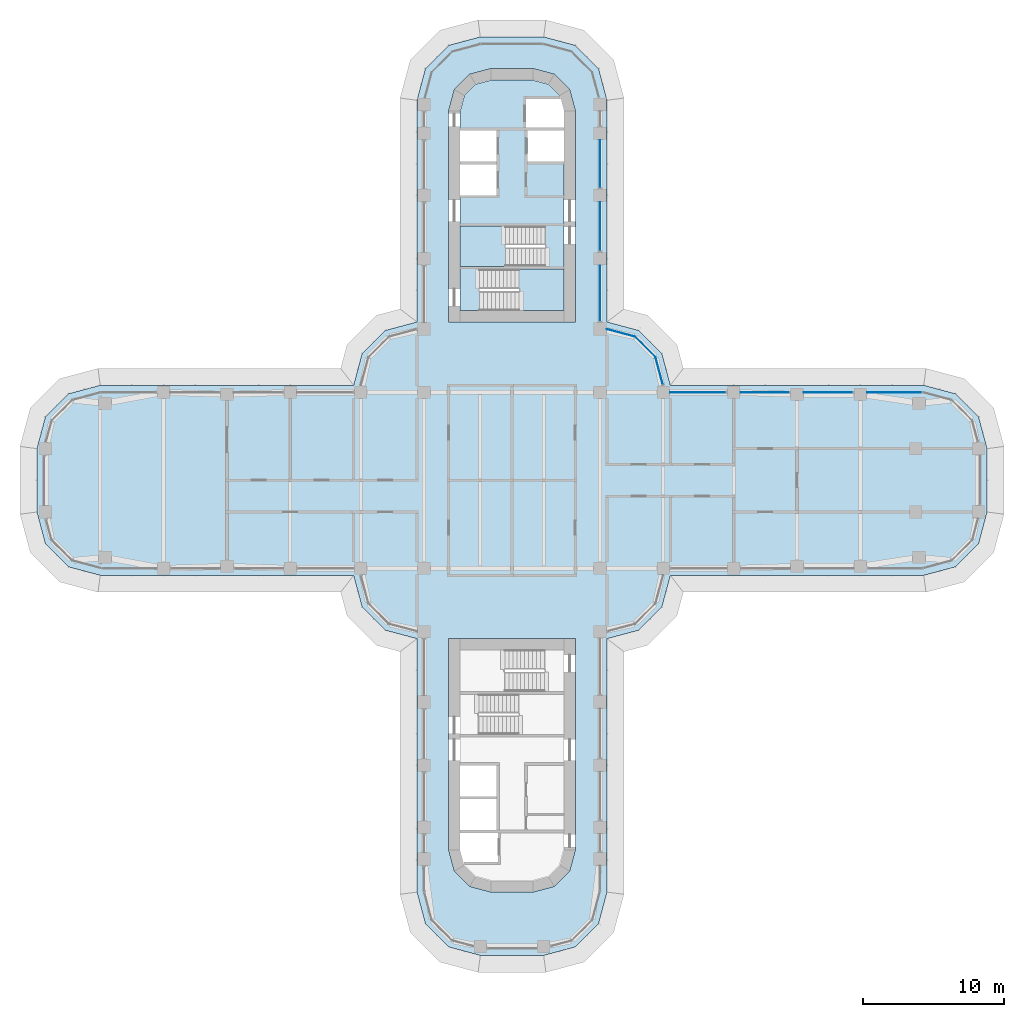
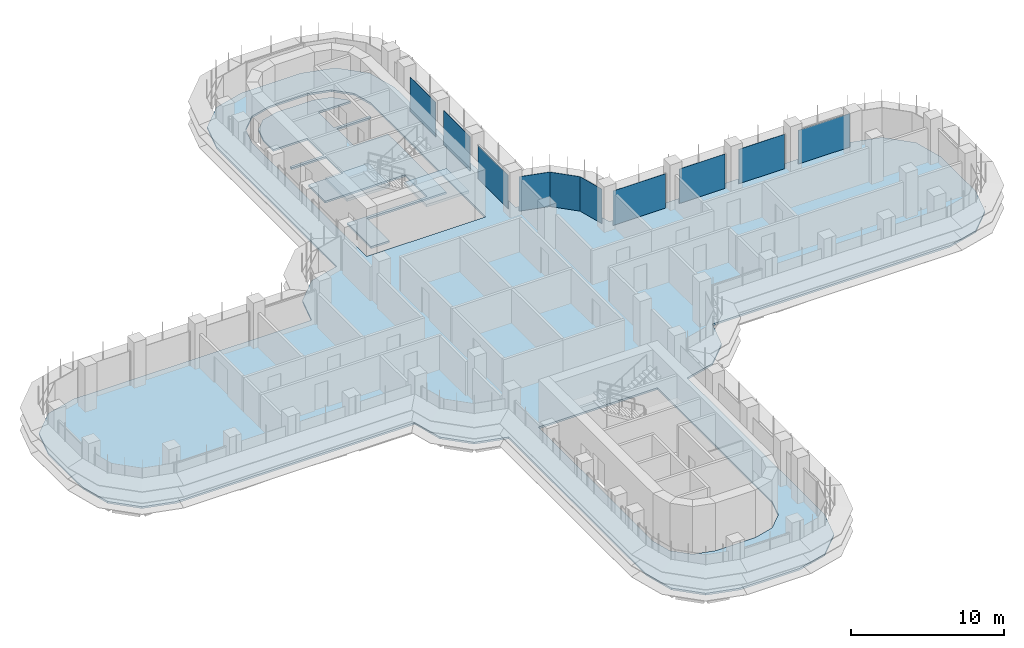
# One storey, part 14 of 22: 10 plates, 4 slabs, 7 elements without a shape of their own.
"""IFC4 building model written with IfcOpenShell, lengths in metres."""

from ifc_helpers import new_model, si_unit, direction, frame, origin, place, context, subcontext, project, spatial, polyline, outline, extrude, source, transform, mapped, material, layer, layer_set, type_object, element, aggregate, save


model = new_model("IFC4")

# Units and contexts
model_context = context("Model", 3, precision=1e-05, world=origin(), true_north=direction((0.0, 1.0)))
body_context = subcontext(model_context, "Body", "Model", "MODEL_VIEW")
ifc_project = project(units=[si_unit("LENGTHUNIT", "METRE"), si_unit("AREAUNIT", "SQUARE_METRE"), si_unit("VOLUMEUNIT", "CUBIC_METRE"), si_unit("PLANEANGLEUNIT", "RADIAN"), si_unit("MASSUNIT", "GRAM", prefix="KILO")], contexts=[model_context])

# Site, building, storey
site_placement = place(None, origin())
site = spatial("IfcSite", under=ifc_project, at=site_placement, CompositionType="ELEMENT")
building_placement = place(site_placement, origin())
building = spatial("IfcBuilding", under=site, at=building_placement, Name="Zarbagh Exchange Tower", CompositionType="ELEMENT")
storey_placement = place(building_placement, frame((0.0, 0.0, 109.39990234375)))
storey = spatial("IfcBuildingStorey", under=building, at=storey_placement, Name="L25", CompositionType="ELEMENT", Elevation=109.39990234375)

# Slabs
ifc_material_1 = material(Name="Concrete C40/50", Category="concrete")
ifc_layer_1 = layer(ifc_material_1, 0.14990234375)
ifc_layer_set_1 = layer_set([ifc_layer_1], Name="Composite floor slab 150 C40/50")
slab_type_1 = type_object("IfcSlabType", Name="Composite floor slab 150 C40/50", PredefinedType="FLOOR", material=ifc_layer_set_1)
slab_1_placement = place(storey_placement, frame((0.0, 0.0, -0.14990234375)))
element("IfcSlab", 1, at=slab_1_placement, inside=storey, type_object=slab_type_1, Name="S5 composite floor slab", PredefinedType="FLOOR", context=body_context, shape_type="SweptSolid", body=[
    extrude(outline(polyline([(-2.25, -33.75), (-4.5, -33.147216796875), (-6.147216796875, -31.5), (-6.75, -29.25), (-6.75, -11.25), (-9.0, -10.647216796875), (-10.647216796875, -9.0), (-11.25, -6.75), (-29.25, -6.75), (-31.5, -6.147216796875), (-33.147216796875, -4.5), (-33.75, -2.25), (-33.75, 2.25), (-33.147216796875, 4.5), (-31.5, 6.147216796875), (-29.25, 6.75), (-11.25, 6.75), (-10.647216796875, 9.0), (-9.0, 10.647216796875), (-6.75, 11.25), (-6.75, 27.0), (-6.147216796875, 29.25), (-4.5, 30.897216796875), (-2.25, 31.5), (2.25, 31.5), (4.5, 30.897216796875), (6.147216796875, 29.25), (6.75, 27.0), (6.75, 11.25), (9.0, 10.647216796875), (10.647216796875, 9.0), (11.25, 6.75), (29.25, 6.75), (31.5, 6.147216796875), (33.147216796875, 4.5), (33.75, 2.25), (33.75, -2.25), (33.147216796875, -4.5), (31.5, -6.147216796875), (29.25, -6.75), (11.25, -6.75), (10.647216796875, -9.0), (9.0, -10.647216796875), (6.75, -11.25), (6.75, -29.25), (6.147216796875, -31.5), (4.5, -33.147216796875), (2.25, -33.75), (-2.25, -33.75)]), holes=[polyline([(4.5, 11.25), (4.5, 26.25), (4.09814453125, 27.75), (3.0, 28.84814453125), (1.5, 29.25), (-1.5, 29.25), (-3.0, 28.84814453125), (-4.09814453125, 27.75), (-4.5, 26.25), (-4.5, 11.25), (4.5, 11.25)]), polyline([(-1.5, -29.25), (1.5, -29.25), (3.0, -28.84814453125), (4.09814453125, -27.75), (4.5, -26.25), (4.5, -11.25), (-4.5, -11.25), (-4.5, -26.25), (-4.09814453125, -27.75), (-3.0, -28.84814453125), (-1.5, -29.25)])]), origin(), (0.0, 0.0, 1.0), 0.14990234375),
])
ifc_layer_2 = layer(ifc_material_1, 0.14990234375)
ifc_layer_set_2 = layer_set([ifc_layer_2], Name="Core floor slab 150 C40/50")
slab_type_2 = type_object("IfcSlabType", Name="Core floor slab 150 C40/50", PredefinedType="FLOOR", material=ifc_layer_set_2)
slab_2_placement = place(storey_placement, frame((0.0, 0.0, -0.14990234375)))
element("IfcSlab", 2, at=slab_2_placement, inside=storey, type_object=slab_type_2, Name="S17 core N", PredefinedType="FLOOR", context=body_context, shape_type="SweptSolid", body=[
    extrude(outline(polyline([(-3.699951171875, 12.050048828125), (-3.699951171875, 15.199951171875), (2.35009765625, 15.199951171875), (2.35009765625, 18.050048828125), (-3.699951171875, 18.050048828125), (-3.699951171875, 20.25), (-1.10009765625, 20.25), (-1.10009765625, 22.449951171875), (-3.699951171875, 22.449951171875), (-3.699951171875, 22.64990234375), (-1.10009765625, 22.64990234375), (-1.10009765625, 24.85009765625), (-3.699951171875, 24.85009765625), (-3.699951171875, 26.144775390625), (-3.380859375, 27.3359375), (-2.5859375, 28.130859375), (-1.394775390625, 28.449951171875), (1.394775390625, 28.449951171875), (2.5859375, 28.130859375), (3.380859375, 27.3359375), (3.646484375, 26.3447265625), (3.444091796875, 27.10009765625), (1.0, 27.10009765625), (1.0, 25.050048828125), (3.699951171875, 25.050048828125), (3.699951171875, 24.85009765625), (1.10009765625, 24.85009765625), (1.10009765625, 22.64990234375), (3.699951171875, 22.64990234375), (3.699951171875, 15.0), (-2.300048828125, 15.0), (-2.300048828125, 12.050048828125), (-3.699951171875, 12.050048828125)])), origin(), (0.0, 0.0, 1.0), 0.14990234375),
])

# Stair, slab
stair_type = type_object("IfcStairType", Name="Exit stair two-flight half-turn", PredefinedType="HALF_TURN_STAIR", material=ifc_material_1)
stair_1_placement = place(storey_placement, origin())
stair_1 = element("IfcStair", 3, at=stair_1_placement, inside=storey, type_object=stair_type, Name="exit stair ST1", PredefinedType="HALF_TURN_STAIR")
ifc_layer_3 = layer(ifc_material_1, 0.199951171875)
ifc_layer_set_3 = layer_set([ifc_layer_3], Name="Stair landing 200 mm")
slab_type_3 = type_object("IfcSlabType", Name="Stair landing 200 mm", PredefinedType="LANDING", material=ifc_layer_set_3)
slab_3_placement = place(storey_placement, frame((0.0, 0.0, 1.7001953125)))
slab_3 = element("IfcSlab", 4, at=slab_3_placement, type_object=slab_type_3, Name="ST1 landing 1", PredefinedType="LANDING", context=body_context, shape_type="SweptSolid", body=[
    extrude(outline(polyline([(-0.449951171875, 18.050048828125), (-3.699951171875, 18.050048828125), (-3.699951171875, 15.199951171875), (-0.449951171875, 15.199951171875), (-0.449951171875, 18.050048828125)])), origin(), (0.0, 0.0, 1.0), 0.199951171875),
])
aggregate(stair_1, [slab_3])

stair_2_placement = place(storey_placement, origin())
stair_2 = element("IfcStair", 5, at=stair_2_placement, inside=storey, type_object=stair_type, Name="exit stair ST2", PredefinedType="HALF_TURN_STAIR")
slab_4_placement = place(storey_placement, frame((0.0, 0.0, 1.7001953125)))
slab_4 = element("IfcSlab", 6, at=slab_4_placement, type_object=slab_type_3, Name="ST2 landing 1", PredefinedType="LANDING", context=body_context, shape_type="SweptSolid", body=[
    extrude(outline(polyline([(0.5, 12.050048828125), (3.699951171875, 12.050048828125), (3.699951171875, 15.0), (0.5, 15.0), (0.5, 12.050048828125)])), origin(), (0.0, 0.0, 1.0), 0.199951171875),
])
aggregate(stair_2, [slab_4])

# Curtain wall, plate
ifc_material_2 = material(Name="Anodised aluminium frame and glazing", Category="aluminium")
curtain_wall_type = type_object("IfcCurtainWallType", Name="CWA Ribbon glazing, lower zones", PredefinedType="NOTDEFINED", material=ifc_material_2)
curtain_wall_1_placement = place(storey_placement, origin())
curtain_wall_1 = element("IfcCurtainWall", 7, at=curtain_wall_1_placement, inside=storey, type_object=curtain_wall_type, Name="CWA18 curtain wall", PredefinedType="NOTDEFINED")
ifc_material_3 = material(Name="Low-e double glazed unit, 6+12+6 mm")
ifc_layer_4 = layer(ifc_material_3, 0.028076171875)
ifc_layer_set_4 = layer_set([ifc_layer_4], Name="PAA Glazing panel, Low-e double glazed unit, 6+12+6 mm")
plate_type = type_object("IfcPlateType", Name="PAA Glazing panel, Low-e double glazed unit, 6+12+6 mm", PredefinedType="CURTAIN_PANEL", material=ifc_layer_set_4)
shared_shape_1 = source(origin(), body_context, "Body", "SweptSolid", [
    extrude(outline(polyline([(0.0, -0.013916015625), (2.061279296875, -0.013916015625), (2.061279296875, 0.013916015625), (0.0, 0.013916015625), (0.0, -0.013916015625)])), origin(), (0.0, 0.0, 1.0), 2.75),
])
placement = place(storey_placement, origin())
plate_1 = element("IfcPlate", 8, at=placement, type_object=plate_type, Name="CWA18 glazing panel 1.1", PredefinedType="CURTAIN_PANEL", context=body_context, shape_type="MappedRepresentation", body=[
    mapped(shared_shape_1, transform((10.19873046875, 8.7412109375, 0.0), x_axis=(-0.707106781187, 0.707106781187, 0.0), y_axis=(-0.707106781187, -0.707106781187, 0.0), z_axis=(0.0, 0.0, 1.0))),
])
aggregate(curtain_wall_1, [plate_1])

curtain_wall_2_placement = place(storey_placement, origin())
curtain_wall_2 = element("IfcCurtainWall", 9, at=curtain_wall_2_placement, inside=storey, type_object=curtain_wall_type, Name="CWA49 curtain wall", PredefinedType="NOTDEFINED")
shared_shape_2 = source(origin(), body_context, "Body", "SweptSolid", [
    extrude(outline(polyline([(0.0, -0.013916015625), (3.360107421875, -0.013916015625), (3.360107421875, 0.013916015625), (0.0, 0.013916015625), (0.0, -0.013916015625)])), origin(), (0.0, 0.0, 1.0), 2.75),
])
plate_2 = element("IfcPlate", 10, at=placement, type_object=plate_type, Name="CWA49 glazing panel 3.1", PredefinedType="CURTAIN_PANEL", context=body_context, shape_type="MappedRepresentation", body=[
    mapped(shared_shape_2, transform((6.25, 20.800048828125, 0.0), x_axis=(0.0, 1.0, 0.0), y_axis=(-1.0, 0.0, 0.0), z_axis=(0.0, 0.0, 1.0))),
])

# Curtain wall, plates
curtain_wall_3_placement = place(storey_placement, origin())
curtain_wall_3 = element("IfcCurtainWall", 11, at=curtain_wall_3_placement, inside=storey, type_object=curtain_wall_type, Name="CWA16 curtain wall", PredefinedType="NOTDEFINED")
shared_shape_3 = source(origin(), body_context, "Body", "SweptSolid", [
    extrude(outline(polyline([(0.0, -0.013916015625), (3.4599609375, -0.013916015625), (3.4599609375, 0.013916015625), (0.0, 0.013916015625), (0.0, -0.013916015625)])), origin(), (0.0, 0.0, 1.0), 2.75),
])
plate_3 = element("IfcPlate", 12, at=placement, type_object=plate_type, Name="CWA16 glazing panel 2.1", PredefinedType="CURTAIN_PANEL", context=body_context, shape_type="MappedRepresentation", body=[
    mapped(shared_shape_3, transform((24.199951171875, 6.25, 0.0), x_axis=(-1.0, 0.0, 0.0), y_axis=(0.0, -1.0, 0.0), z_axis=(0.0, 0.0, 1.0))),
])
plate_4 = element("IfcPlate", 13, at=placement, type_object=plate_type, Name="CWA16 glazing panel 3.1", PredefinedType="CURTAIN_PANEL", context=body_context, shape_type="MappedRepresentation", body=[
    mapped(shared_shape_3, transform((19.699951171875, 6.25, 0.0), x_axis=(-1.0, 0.0, 0.0), y_axis=(0.0, -1.0, 0.0), z_axis=(0.0, 0.0, 1.0))),
])

# Plate
plate_5 = element("IfcPlate", 14, at=placement, type_object=plate_type, Name="CWA49 glazing panel 2.1", PredefinedType="CURTAIN_PANEL", context=body_context, shape_type="MappedRepresentation", body=[
    mapped(shared_shape_3, transform((6.25, 16.300048828125, 0.0), x_axis=(0.0, 1.0, 0.0), y_axis=(-1.0, 0.0, 0.0), z_axis=(0.0, 0.0, 1.0))),
])

shared_shape_4 = source(origin(), body_context, "Body", "SweptSolid", [
    extrude(outline(polyline([(0.0, -0.013916015625), (3.9599609375, -0.013916015625), (3.9599609375, 0.013916015625), (0.0, 0.013916015625), (0.0, -0.013916015625)])), origin(), (0.0, 0.0, 1.0), 2.75),
])
plate_6 = element("IfcPlate", 15, at=placement, type_object=plate_type, Name="CWA16 glazing panel 4.1", PredefinedType="CURTAIN_PANEL", context=body_context, shape_type="MappedRepresentation", body=[
    mapped(shared_shape_4, transform((15.199951171875, 6.25, 0.0), x_axis=(-1.0, 0.0, 0.0), y_axis=(0.0, -1.0, 0.0), z_axis=(0.0, 0.0, 1.0))),
])

# Curtain wall, plate
curtain_wall_4_placement = place(storey_placement, origin())
curtain_wall_4 = element("IfcCurtainWall", 16, at=curtain_wall_4_placement, inside=storey, type_object=curtain_wall_type, Name="CWA17 curtain wall", PredefinedType="NOTDEFINED")
shared_shape_5 = source(origin(), body_context, "Body", "SweptSolid", [
    extrude(outline(polyline([(0.0, -0.013916015625), (2.01171875, -0.013916015625), (2.01171875, 0.013916015625), (0.0, 0.013916015625), (0.0, -0.013916015625)])), origin(), (0.0, 0.0, 1.0), 2.75),
])
plate_7 = element("IfcPlate", 17, at=placement, type_object=plate_type, Name="CWA17 glazing panel 1.1", PredefinedType="CURTAIN_PANEL", context=body_context, shape_type="MappedRepresentation", body=[
    mapped(shared_shape_5, transform((10.719482421875, 6.7978515625, 0.0), x_axis=(-0.258824779902, 0.965924289636, 0.0), y_axis=(-0.965924289636, -0.258824779902, 0.0), z_axis=(0.0, 0.0, 1.0))),
])
aggregate(curtain_wall_4, [plate_7])

curtain_wall_5_placement = place(storey_placement, origin())
curtain_wall_5 = element("IfcCurtainWall", 18, at=curtain_wall_5_placement, inside=storey, type_object=curtain_wall_type, Name="CWA19 curtain wall", PredefinedType="NOTDEFINED")
shared_shape_6 = source(origin(), body_context, "Body", "SweptSolid", [
    extrude(outline(polyline([(0.0, -0.013916015625), (2.07177734375, -0.013916015625), (2.07177734375, 0.013916015625), (0.0, 0.013916015625), (0.0, -0.013916015625)])), origin(), (0.0, 0.0, 1.0), 2.75),
])
plate_8 = element("IfcPlate", 19, at=placement, type_object=plate_type, Name="CWA19 glazing panel 1.1", PredefinedType="CURTAIN_PANEL", context=body_context, shape_type="MappedRepresentation", body=[
    mapped(shared_shape_6, transform((8.7412109375, 10.19873046875, 0.0), x_axis=(-0.965924289636, 0.258824779902, 0.0), y_axis=(-0.258824779902, -0.965924289636, 0.0), z_axis=(0.0, 0.0, 1.0))),
])
aggregate(curtain_wall_5, [plate_8])

# Plate
shared_shape_7 = source(origin(), body_context, "Body", "SweptSolid", [
    extrude(outline(polyline([(0.0, -0.013916015625), (3.9599609375, -0.013916015625), (3.9599609375, 0.013916015625), (0.0, 0.013916015625), (0.0, -0.013916015625)])), origin(), (0.0, 0.0, 1.0), 2.68994140625),
])
plate_9 = element("IfcPlate", 20, at=placement, type_object=plate_type, Name="CWA49 glazing panel 1.1", PredefinedType="CURTAIN_PANEL", context=body_context, shape_type="MappedRepresentation", body=[
    mapped(shared_shape_7, transform((6.25, 11.300048828125, 0.0), x_axis=(0.0, 1.0, 0.0), y_axis=(-1.0, 0.0, 0.0), z_axis=(0.0, 0.0, 1.0))),
])

aggregate(curtain_wall_2, [plate_9, plate_5, plate_2])

shared_shape_8 = source(origin(), body_context, "Body", "SweptSolid", [
    extrude(outline(polyline([(0.0, -0.013916015625), (3.88427734375, -0.013916015625), (3.88427734375, 0.013916015625), (0.0, 0.013916015625), (0.0, -0.013916015625)])), origin(), (0.0, 0.0, 1.0), 2.68994140625),
])
plate_10 = element("IfcPlate", 21, at=placement, type_object=plate_type, Name="CWA16 glazing panel 1.1", PredefinedType="CURTAIN_PANEL", context=body_context, shape_type="MappedRepresentation", body=[
    mapped(shared_shape_8, transform((29.124267578125, 6.25, 0.0), x_axis=(-1.0, 0.0, 0.0), y_axis=(0.0, -1.0, 0.0), z_axis=(0.0, 0.0, 1.0))),
])

aggregate(curtain_wall_3, [plate_10, plate_3, plate_4, plate_6])

save(model, "model.ifc")
